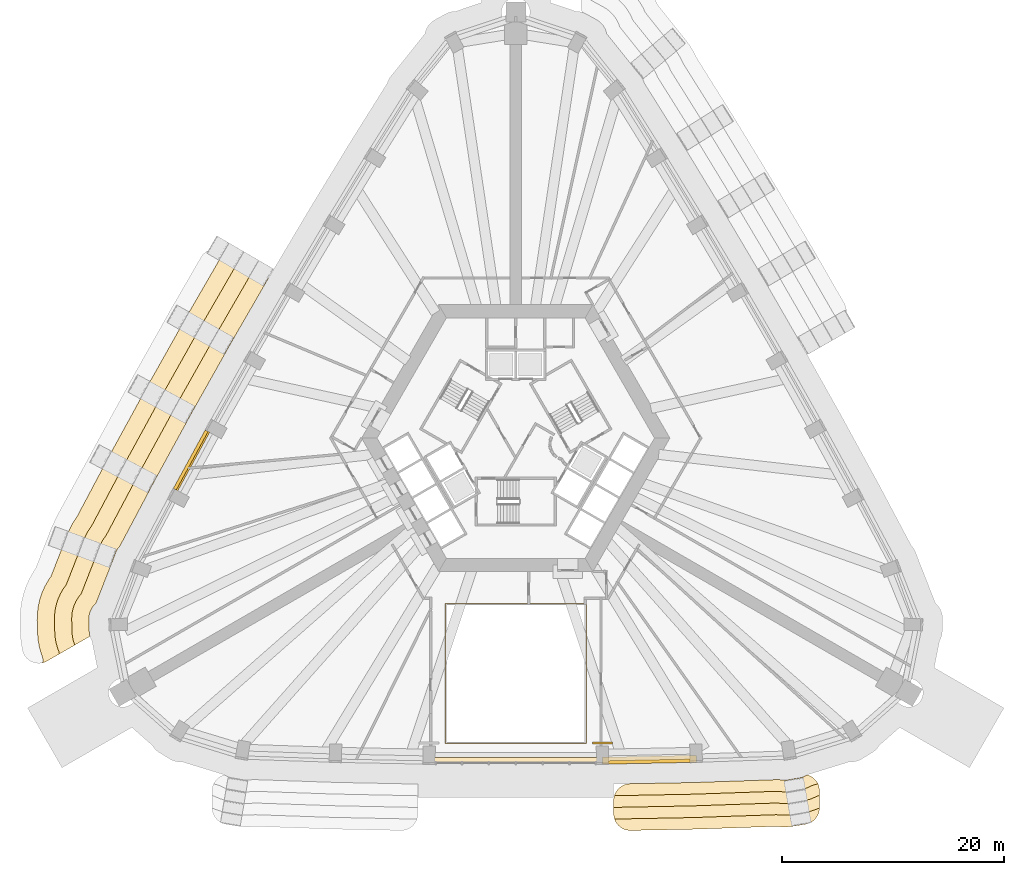
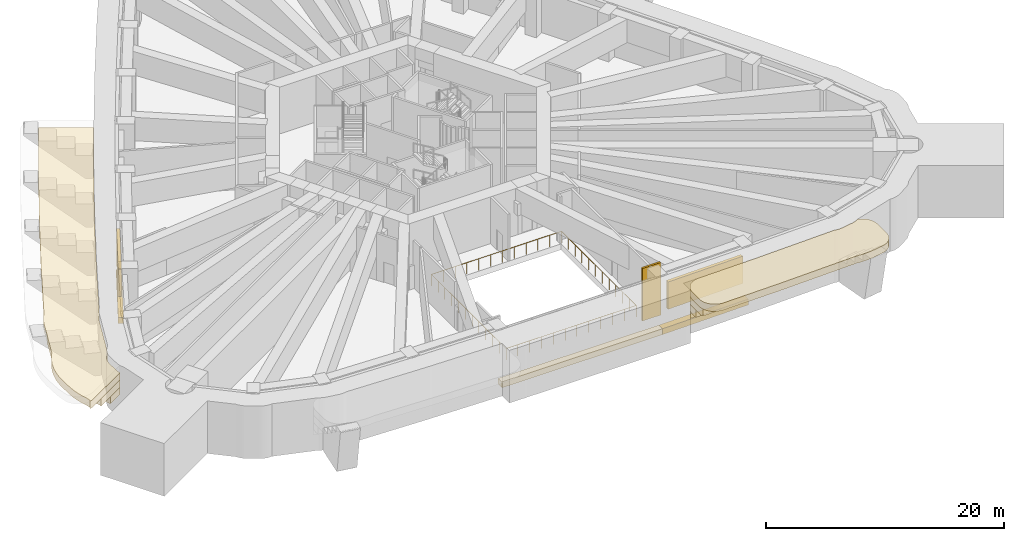
# One storey, part 14 of 20: 11 coverings, 2 shading devices, 1 railing.
"""IFC4 building model written with IfcOpenShell, lengths in metres."""

from ifc_helpers import new_model, si_unit, direction, frame, origin, origin_2d, place, context, subcontext, project, spatial, polyline, rectangle, circle, outline, extrude, material, layer, layer_set, type_object, element, save


model = new_model("IFC4")

# Units and contexts
model_context = context("Model", 3, precision=1e-05, world=origin(), true_north=direction((0.0, 1.0)))
body_context = subcontext(model_context, "Body", "Model", "MODEL_VIEW")
ifc_project = project(units=[si_unit("LENGTHUNIT", "METRE"), si_unit("AREAUNIT", "SQUARE_METRE"), si_unit("VOLUMEUNIT", "CUBIC_METRE"), si_unit("PLANEANGLEUNIT", "RADIAN"), si_unit("MASSUNIT", "GRAM", prefix="KILO")], contexts=[model_context])

# Site, building, storey
site_placement = place(None, origin())
site = spatial("IfcSite", under=ifc_project, at=site_placement, CompositionType="ELEMENT")
building_placement = place(site_placement, origin())
building = spatial("IfcBuilding", under=site, at=building_placement, Name="Entoto Arch Interchange Tower", CompositionType="ELEMENT")
storey_placement = place(building_placement, frame((0.0, 0.0, 184.39990234375)))
storey = spatial("IfcBuildingStorey", under=building, at=storey_placement, Name="L41", CompositionType="ELEMENT", Elevation=184.39990234375)

# Railing
ifc_material_1 = material(Name="Stainless steel 1.4301", Category="steel")
railing_type = type_object("IfcRailingType", Name="ATRIUM GUARD 1200 STEEL AND GLASS", PredefinedType="GUARDRAIL", material=ifc_material_1)
railing_placement = place(storey_placement, frame((6.320068359375, -24.93701171875, 0.0)))
element("IfcRailing", 1, at=railing_placement, inside=storey, type_object=railing_type, Name="Atrium guard L41", PredefinedType="GUARDRAIL", context=body_context, shape_type="SweptSolid", body=[
    extrude(circle(Radius=0.02392578125, at=origin_2d()), frame((0.0, 0.0, 1.17578125), z_axis=(-1.0, 0.0, 0.0), x_axis=(0.0, -1.0, 0.0)), (0.0, 0.0, 1.0), 12.64013671875),
    extrude(circle(Radius=0.02392578125, at=origin_2d()), frame((-12.64013671875, 0.0, 1.17578125), z_axis=(0.0, 1.0, 0.0), x_axis=(-1.0, 0.0, 0.0)), (0.0, 0.0, 1.0), 12.55712890625),
    extrude(circle(Radius=0.02392578125, at=origin_2d()), frame((-12.64013671875, 12.55712890625, 1.17578125), z_axis=(1.0, 0.0, 0.0), x_axis=(0.0, 1.0, 0.0)), (0.0, 0.0, 1.0), 12.64013671875),
    extrude(circle(Radius=0.02392578125, at=origin_2d()), frame((0.0, 12.55712890625, 1.17578125), z_axis=(0.0, -1.0, 0.0), x_axis=(1.0, 0.0, 0.0)), (0.0, 0.0, 1.0), 12.55712890625),
    extrude(circle(Radius=0.02099609375, at=origin_2d()), origin(), (0.0, 0.0, 1.0), 1.15185546875),
    extrude(circle(Radius=0.02099609375, at=origin_2d()), frame((-1.149169921875, 0.0, 0.0)), (0.0, 0.0, 1.0), 1.15185546875),
    extrude(circle(Radius=0.02099609375, at=origin_2d()), frame((-2.298095703125, 0.0, 0.0)), (0.0, 0.0, 1.0), 1.15185546875),
    extrude(circle(Radius=0.02099609375, at=origin_2d()), frame((-3.447265625, 0.0, 0.0)), (0.0, 0.0, 1.0), 1.15185546875),
    extrude(circle(Radius=0.02099609375, at=origin_2d()), frame((-4.596435546875, 0.0, 0.0)), (0.0, 0.0, 1.0), 1.15185546875),
    extrude(circle(Radius=0.02099609375, at=origin_2d()), frame((-5.74560546875, 0.0, 0.0)), (0.0, 0.0, 1.0), 1.15185546875),
    extrude(circle(Radius=0.02099609375, at=origin_2d()), frame((-6.89453125, 0.0, 0.0)), (0.0, 0.0, 1.0), 1.15185546875),
    extrude(circle(Radius=0.02099609375, at=origin_2d()), frame((-8.043701171875, 0.0, 0.0)), (0.0, 0.0, 1.0), 1.15185546875),
    extrude(circle(Radius=0.02099609375, at=origin_2d()), frame((-9.19287109375, 0.0, 0.0)), (0.0, 0.0, 1.0), 1.15185546875),
    extrude(circle(Radius=0.02099609375, at=origin_2d()), frame((-10.342041015625, 0.0, 0.0)), (0.0, 0.0, 1.0), 1.15185546875),
    extrude(circle(Radius=0.02099609375, at=origin_2d()), frame((-11.490966796875, 0.0, 0.0)), (0.0, 0.0, 1.0), 1.15185546875),
    extrude(circle(Radius=0.02099609375, at=origin_2d()), frame((-12.64013671875, 0.0, 0.0)), (0.0, 0.0, 1.0), 1.15185546875),
    extrude(circle(Radius=0.02099609375, at=origin_2d()), frame((-12.64013671875, 1.1416015625, 0.0)), (0.0, 0.0, 1.0), 1.15185546875),
    extrude(circle(Radius=0.02099609375, at=origin_2d()), frame((-12.64013671875, 2.283203125, 0.0)), (0.0, 0.0, 1.0), 1.15185546875),
    extrude(circle(Radius=0.02099609375, at=origin_2d()), frame((-12.64013671875, 3.424560546875, 0.0)), (0.0, 0.0, 1.0), 1.15185546875),
    extrude(circle(Radius=0.02099609375, at=origin_2d()), frame((-12.64013671875, 4.566162109375, 0.0)), (0.0, 0.0, 1.0), 1.15185546875),
    extrude(circle(Radius=0.02099609375, at=origin_2d()), frame((-12.64013671875, 5.707763671875, 0.0)), (0.0, 0.0, 1.0), 1.15185546875),
    extrude(circle(Radius=0.02099609375, at=origin_2d()), frame((-12.64013671875, 6.849365234375, 0.0)), (0.0, 0.0, 1.0), 1.15185546875),
    extrude(circle(Radius=0.02099609375, at=origin_2d()), frame((-12.64013671875, 7.990966796875, 0.0)), (0.0, 0.0, 1.0), 1.15185546875),
    extrude(circle(Radius=0.02099609375, at=origin_2d()), frame((-12.64013671875, 9.132568359375, 0.0)), (0.0, 0.0, 1.0), 1.15185546875),
    extrude(circle(Radius=0.02099609375, at=origin_2d()), frame((-12.64013671875, 10.27392578125, 0.0)), (0.0, 0.0, 1.0), 1.15185546875),
    extrude(circle(Radius=0.02099609375, at=origin_2d()), frame((-12.64013671875, 11.41552734375, 0.0)), (0.0, 0.0, 1.0), 1.15185546875),
    extrude(circle(Radius=0.02099609375, at=origin_2d()), frame((-12.64013671875, 12.55712890625, 0.0)), (0.0, 0.0, 1.0), 1.15185546875),
    extrude(circle(Radius=0.02099609375, at=origin_2d()), frame((-11.490966796875, 12.55712890625, 0.0)), (0.0, 0.0, 1.0), 1.15185546875),
    extrude(circle(Radius=0.02099609375, at=origin_2d()), frame((-10.342041015625, 12.55712890625, 0.0)), (0.0, 0.0, 1.0), 1.15185546875),
    extrude(circle(Radius=0.02099609375, at=origin_2d()), frame((-9.19287109375, 12.55712890625, 0.0)), (0.0, 0.0, 1.0), 1.15185546875),
    extrude(circle(Radius=0.02099609375, at=origin_2d()), frame((-8.043701171875, 12.55712890625, 0.0)), (0.0, 0.0, 1.0), 1.15185546875),
    extrude(circle(Radius=0.02099609375, at=origin_2d()), frame((-6.89453125, 12.55712890625, 0.0)), (0.0, 0.0, 1.0), 1.15185546875),
    extrude(circle(Radius=0.02099609375, at=origin_2d()), frame((-5.74560546875, 12.55712890625, 0.0)), (0.0, 0.0, 1.0), 1.15185546875),
    extrude(circle(Radius=0.02099609375, at=origin_2d()), frame((-4.596435546875, 12.55712890625, 0.0)), (0.0, 0.0, 1.0), 1.15185546875),
    extrude(circle(Radius=0.02099609375, at=origin_2d()), frame((-3.447265625, 12.55712890625, 0.0)), (0.0, 0.0, 1.0), 1.15185546875),
    extrude(circle(Radius=0.02099609375, at=origin_2d()), frame((-2.298095703125, 12.55712890625, 0.0)), (0.0, 0.0, 1.0), 1.15185546875),
    extrude(circle(Radius=0.02099609375, at=origin_2d()), frame((-1.149169921875, 12.55712890625, 0.0)), (0.0, 0.0, 1.0), 1.15185546875),
    extrude(circle(Radius=0.02099609375, at=origin_2d()), frame((0.0, 12.55712890625, 0.0)), (0.0, 0.0, 1.0), 1.15185546875),
    extrude(circle(Radius=0.02099609375, at=origin_2d()), frame((0.0, 11.41552734375, 0.0)), (0.0, 0.0, 1.0), 1.15185546875),
    extrude(circle(Radius=0.02099609375, at=origin_2d()), frame((0.0, 10.27392578125, 0.0)), (0.0, 0.0, 1.0), 1.15185546875),
    extrude(circle(Radius=0.02099609375, at=origin_2d()), frame((0.0, 9.132568359375, 0.0)), (0.0, 0.0, 1.0), 1.15185546875),
    extrude(circle(Radius=0.02099609375, at=origin_2d()), frame((0.0, 7.990966796875, 0.0)), (0.0, 0.0, 1.0), 1.15185546875),
    extrude(circle(Radius=0.02099609375, at=origin_2d()), frame((0.0, 6.849365234375, 0.0)), (0.0, 0.0, 1.0), 1.15185546875),
    extrude(circle(Radius=0.02099609375, at=origin_2d()), frame((0.0, 5.707763671875, 0.0)), (0.0, 0.0, 1.0), 1.15185546875),
    extrude(circle(Radius=0.02099609375, at=origin_2d()), frame((0.0, 4.566162109375, 0.0)), (0.0, 0.0, 1.0), 1.15185546875),
    extrude(circle(Radius=0.02099609375, at=origin_2d()), frame((0.0, 3.424560546875, 0.0)), (0.0, 0.0, 1.0), 1.15185546875),
    extrude(circle(Radius=0.02099609375, at=origin_2d()), frame((0.0, 2.283203125, 0.0)), (0.0, 0.0, 1.0), 1.15185546875),
    extrude(circle(Radius=0.02099609375, at=origin_2d()), frame((0.0, 1.1416015625, 0.0)), (0.0, 0.0, 1.0), 1.15185546875),
])

# Shading devices
ifc_material_2 = material(Name="Aluminium, anodised", Category="aluminium")
ifc_layer = layer(ifc_material_2, 0.300048828125)
ifc_layer_set = layer_set([ifc_layer], Name="Aluminium, anodised")
shading_device_type = type_object("IfcShadingDeviceType", Name="PLANT LOUVRE ALUMINIUM", PredefinedType="JALOUSIE", material=ifc_layer_set)
shading_device_1_placement = place(storey_placement, frame((12.013916015625, -26.58203125, 1.2001953125), z_axis=(0.0, 0.0, 1.0), x_axis=(0.999796471292, 0.020174637336, 0.0)))
element("IfcShadingDevice", 2, at=shading_device_1_placement, inside=storey, type_object=shading_device_type, Name="Plant louvre S-04 L41", PredefinedType="JALOUSIE", context=body_context, shape_type="SweptSolid", body=[
    extrude(rectangle(XDim=7.333984375, YDim=0.300048828125, at=origin_2d()), origin(), (0.0, 0.0, 1.0), 2.800048828125),
])
shading_device_2_placement = place(storey_placement, frame((-29.218017578125, 0.534912109375, 1.2001953125), z_axis=(0.0, 0.0, 1.0), x_axis=(-0.479182141455, -0.877715486539, 0.0)))
element("IfcShadingDevice", 3, at=shading_device_2_placement, inside=storey, type_object=shading_device_type, Name="Plant louvre NW-06 L41", PredefinedType="JALOUSIE", context=body_context, shape_type="SweptSolid", body=[
    extrude(rectangle(XDim=5.97705078125, YDim=0.300048828125, at=origin_2d()), origin(), (0.0, 0.0, 1.0), 2.800048828125),
])

# Coverings
ifc_material_3 = material(Name="Board-marked precast concrete C50/60", Category="concrete")
covering_type_1 = type_object("IfcCoveringType", Name="PRECAST FRAME COURSE", PredefinedType="CLADDING", material=ifc_material_3)
covering_1_placement = place(storey_placement, frame((0.0, 0.0, 4.050048828125)))
element("IfcCovering", 4, at=covering_1_placement, inside=storey, type_object=covering_type_1, Name="Cantilever cornice L41 1", PredefinedType="CLADDING", context=body_context, shape_type="SweptSolid", body=[
    extrude(outline(polyline([(26.429931640625, -27.85595703125), (26.556884765625, -27.922119140625), (26.676025390625, -27.9990234375), (26.7880859375, -28.0869140625), (26.89111328125, -28.18603515625), (26.98388671875, -28.2939453125), (27.06591796875, -28.409912109375), (27.136962890625, -28.532958984375), (27.196044921875, -28.6630859375), (27.241943359375, -28.797119140625), (27.27587890625, -28.93603515625), (27.2958984375, -29.076904296875), (27.302978515625, -29.218994140625), (27.302978515625, -30.72900390625), (27.294921875, -30.87890625), (27.27294921875, -31.027099609375), (27.236083984375, -31.172119140625), (27.18408203125, -31.31298828125), (27.118896484375, -31.448974609375), (27.0400390625, -31.575927734375), (26.948974609375, -31.696044921875), (26.846923828125, -31.805908203125), (26.73388671875, -31.905029296875), (26.612060546875, -31.991943359375), (26.48095703125, -32.06591796875), (26.343994140625, -32.126953125), (26.201904296875, -32.175048828125), (26.054931640625, -32.20703125), (25.172119140625, -32.35791015625), (25.09912109375, -32.367919921875), (24.791015625, -32.406005859375), (24.625, -32.426025390625), (24.47802734375, -32.43603515625), (24.035888671875, -32.446044921875), (23.888916015625, -32.44189453125), (23.44189453125, -32.406982421875), (23.39990234375, -32.404052734375), (23.35888671875, -32.406005859375), (17.02197265625, -32.623046875), (17.0048828125, -32.6240234375), (16.987060546875, -32.625), (16.98193359375, -32.6259765625), (16.943115234375, -32.6279296875), (16.424072265625, -32.64404296875), (15.87890625, -32.660888671875), (15.8701171875, -32.662109375), (15.804931640625, -32.6630859375), (15.794921875, -32.6630859375), (10.3291015625, -32.76904296875), (10.179931640625, -32.763916015625), (10.031982421875, -32.7451171875), (9.886962890625, -32.7109375), (9.74609375, -32.6630859375), (9.611083984375, -32.60107421875), (9.48193359375, -32.52587890625), (9.361083984375, -32.43896484375), (9.25, -32.340087890625), (9.14892578125, -32.22998046875), (9.05908203125, -32.111083984375), (8.98095703125, -31.98388671875), (8.9169921875, -31.85009765625), (8.865966796875, -31.7099609375), (8.830078125, -31.56494140625), (8.806884765625, -31.41796875), (8.800048828125, -31.26904296875), (8.800048828125, -30.069091796875), (8.806884765625, -29.924072265625), (8.827880859375, -29.780029296875), (8.863037109375, -29.638916015625), (8.910888671875, -29.501953125), (8.972900390625, -29.3701171875), (9.047119140625, -29.2451171875), (9.132080078125, -29.126953125), (9.22900390625, -29.01904296875), (9.3359375, -28.919921875), (9.451904296875, -28.83203125), (9.574951171875, -28.756103515625), (9.7060546875, -28.69189453125), (9.842041015625, -28.64111328125), (9.98291015625, -28.60302734375), (10.1259765625, -28.5791015625), (10.27099609375, -28.569091796875), (15.718994140625, -28.464111328125), (15.740966796875, -28.464111328125), (16.291015625, -28.446044921875), (16.841064453125, -28.428955078125), (16.8720703125, -28.426025390625), (23.681884765625, -28.19189453125), (23.72802734375, -28.205078125), (23.90087890625, -28.235107421875), (24.077880859375, -28.2490234375), (24.25390625, -28.2451171875), (24.429931640625, -28.22412109375), (25.513916015625, -28.0390625), (25.68603515625, -28.0009765625), (25.85400390625, -27.946044921875), (26.01611328125, -27.875), (26.169921875, -27.7880859375), (26.193115234375, -27.77197265625), (26.22802734375, -27.760986328125), (26.197998046875, -27.77197265625), (26.221923828125, -27.780029296875), (26.298095703125, -27.802978515625), (26.429931640625, -27.85595703125)])), origin(), (0.0, 0.0, 1.0), 0.75),
])
covering_2_placement = place(storey_placement, frame((0.0, 0.0, 3.300048828125)))
element("IfcCovering", 5, at=covering_2_placement, inside=storey, type_object=covering_type_1, Name="Cantilever cornice L41 2", PredefinedType="CLADDING", context=body_context, shape_type="SweptSolid", body=[
    extrude(outline(polyline([(26.429931640625, -27.85595703125), (26.556884765625, -27.922119140625), (26.676025390625, -27.9990234375), (26.7880859375, -28.0869140625), (26.89111328125, -28.18603515625), (26.98388671875, -28.2939453125), (27.06591796875, -28.409912109375), (27.136962890625, -28.532958984375), (27.196044921875, -28.6630859375), (27.241943359375, -28.797119140625), (27.27587890625, -28.93603515625), (27.2958984375, -29.076904296875), (27.302978515625, -29.218994140625), (27.302978515625, -30.72900390625), (27.302001953125, -30.74609375), (26.97998046875, -30.887939453125), (26.51806640625, -31.0390625), (26.0439453125, -31.14404296875), (24.958984375, -31.3291015625), (24.47705078125, -31.386962890625), (23.990966796875, -31.39794921875), (23.507080078125, -31.361083984375), (23.4560546875, -31.35205078125), (16.970947265625, -31.574951171875), (16.94091796875, -31.576904296875), (16.39111328125, -31.594970703125), (15.841064453125, -31.612060546875), (15.780029296875, -31.614013671875), (8.8798828125, -31.7470703125), (8.865966796875, -31.7099609375), (8.830078125, -31.56494140625), (8.806884765625, -31.41796875), (8.800048828125, -31.26904296875), (8.800048828125, -30.069091796875), (8.806884765625, -29.924072265625), (8.827880859375, -29.780029296875), (8.863037109375, -29.638916015625), (8.910888671875, -29.501953125), (8.972900390625, -29.3701171875), (9.047119140625, -29.2451171875), (9.132080078125, -29.126953125), (9.22900390625, -29.01904296875), (9.3359375, -28.919921875), (9.451904296875, -28.83203125), (9.574951171875, -28.756103515625), (9.7060546875, -28.69189453125), (9.842041015625, -28.64111328125), (9.98291015625, -28.60302734375), (10.1259765625, -28.5791015625), (10.27099609375, -28.569091796875), (15.718994140625, -28.464111328125), (15.740966796875, -28.464111328125), (16.291015625, -28.446044921875), (16.841064453125, -28.428955078125), (16.8720703125, -28.426025390625), (23.681884765625, -28.19189453125), (23.72802734375, -28.205078125), (23.90087890625, -28.235107421875), (24.077880859375, -28.2490234375), (24.25390625, -28.2451171875), (24.429931640625, -28.22412109375), (25.513916015625, -28.0390625), (25.68603515625, -28.0009765625), (25.85400390625, -27.946044921875), (26.01611328125, -27.875), (26.169921875, -27.7880859375), (26.193115234375, -27.77197265625), (26.22802734375, -27.760986328125), (26.197998046875, -27.77197265625), (26.221923828125, -27.780029296875), (26.298095703125, -27.802978515625), (26.429931640625, -27.85595703125)])), origin(), (0.0, 0.0, 1.0), 0.75),
])
covering_3_placement = place(storey_placement, frame((0.0, 0.0, 2.550048828125)))
element("IfcCovering", 6, at=covering_3_placement, inside=storey, type_object=covering_type_1, Name="Cantilever cornice L41 3", PredefinedType="CLADDING", context=body_context, shape_type="SweptSolid", body=[
    extrude(outline(polyline([(26.429931640625, -27.85595703125), (26.556884765625, -27.922119140625), (26.676025390625, -27.9990234375), (26.7880859375, -28.0869140625), (26.89111328125, -28.18603515625), (26.98388671875, -28.2939453125), (27.06591796875, -28.409912109375), (27.136962890625, -28.532958984375), (27.196044921875, -28.6630859375), (27.241943359375, -28.797119140625), (27.27587890625, -28.93603515625), (27.2958984375, -29.076904296875), (27.302978515625, -29.218994140625), (27.302978515625, -29.6279296875), (27.027099609375, -29.7119140625), (26.955078125, -29.7529296875), (26.60498046875, -29.906982421875), (26.240966796875, -30.02587890625), (25.866943359375, -30.10888671875), (24.782958984375, -30.2939453125), (24.403076171875, -30.340087890625), (24.02001953125, -30.347900390625), (23.638916015625, -30.319091796875), (23.52392578125, -30.299072265625), (16.93798828125, -30.52490234375), (16.907958984375, -30.528076171875), (16.35791015625, -30.544921875), (15.80810546875, -30.56201171875), (15.759033203125, -30.56396484375), (8.800048828125, -30.697998046875), (8.800048828125, -30.069091796875), (8.806884765625, -29.924072265625), (8.827880859375, -29.780029296875), (8.863037109375, -29.638916015625), (8.910888671875, -29.501953125), (8.972900390625, -29.3701171875), (9.047119140625, -29.2451171875), (9.132080078125, -29.126953125), (9.22900390625, -29.01904296875), (9.3359375, -28.919921875), (9.451904296875, -28.83203125), (9.574951171875, -28.756103515625), (9.7060546875, -28.69189453125), (9.842041015625, -28.64111328125), (9.98291015625, -28.60302734375), (10.1259765625, -28.5791015625), (10.27099609375, -28.569091796875), (15.718994140625, -28.464111328125), (15.740966796875, -28.464111328125), (16.291015625, -28.446044921875), (16.841064453125, -28.428955078125), (16.8720703125, -28.426025390625), (23.681884765625, -28.19189453125), (23.72802734375, -28.205078125), (23.90087890625, -28.235107421875), (24.077880859375, -28.2490234375), (24.25390625, -28.2451171875), (24.429931640625, -28.22412109375), (25.513916015625, -28.0390625), (25.68603515625, -28.0009765625), (25.85400390625, -27.946044921875), (26.01611328125, -27.875), (26.169921875, -27.7880859375), (26.193115234375, -27.77197265625), (26.22802734375, -27.760986328125), (26.197998046875, -27.77197265625), (26.221923828125, -27.780029296875), (26.298095703125, -27.802978515625), (26.429931640625, -27.85595703125)])), origin(), (0.0, 0.0, 1.0), 0.75),
])
covering_4_placement = place(storey_placement, frame((0.0, 0.0, 1.800048828125)))
element("IfcCovering", 7, at=covering_4_placement, inside=storey, type_object=covering_type_1, Name="Cantilever cornice L41 4", PredefinedType="CLADDING", context=body_context, shape_type="SweptSolid", body=[
    extrude(outline(polyline([(26.429931640625, -27.85595703125), (26.556884765625, -27.922119140625), (26.676025390625, -27.9990234375), (26.7880859375, -28.0869140625), (26.89111328125, -28.18603515625), (26.98388671875, -28.2939453125), (27.06591796875, -28.409912109375), (27.136962890625, -28.532958984375), (27.156005859375, -28.573974609375), (26.615966796875, -28.739990234375), (26.485107421875, -28.81396484375), (26.22900390625, -28.926025390625), (25.964111328125, -29.012939453125), (25.69091796875, -29.073974609375), (24.60595703125, -29.259033203125), (24.327880859375, -29.2919921875), (24.049072265625, -29.298095703125), (23.77001953125, -29.277099609375), (23.592041015625, -29.24609375), (16.905029296875, -29.47607421875), (16.8740234375, -29.47802734375), (16.323974609375, -29.49609375), (15.77490234375, -29.512939453125), (15.739013671875, -29.513916015625), (8.861083984375, -29.64697265625), (8.863037109375, -29.638916015625), (8.910888671875, -29.501953125), (8.972900390625, -29.3701171875), (9.047119140625, -29.2451171875), (9.132080078125, -29.126953125), (9.22900390625, -29.01904296875), (9.3359375, -28.919921875), (9.451904296875, -28.83203125), (9.574951171875, -28.756103515625), (9.7060546875, -28.69189453125), (9.842041015625, -28.64111328125), (9.98291015625, -28.60302734375), (10.1259765625, -28.5791015625), (10.27099609375, -28.569091796875), (15.718994140625, -28.464111328125), (15.740966796875, -28.464111328125), (16.291015625, -28.446044921875), (16.841064453125, -28.428955078125), (16.8720703125, -28.426025390625), (23.681884765625, -28.19189453125), (23.72802734375, -28.205078125), (23.90087890625, -28.235107421875), (24.077880859375, -28.2490234375), (24.25390625, -28.2451171875), (24.429931640625, -28.22412109375), (25.513916015625, -28.0390625), (25.68603515625, -28.0009765625), (25.85400390625, -27.946044921875), (26.01611328125, -27.875), (26.169921875, -27.7880859375), (26.193115234375, -27.77197265625), (26.22802734375, -27.760986328125), (26.197998046875, -27.77197265625), (26.221923828125, -27.780029296875), (26.298095703125, -27.802978515625), (26.429931640625, -27.85595703125)])), origin(), (0.0, 0.0, 1.0), 0.75),
])
covering_5_placement = place(storey_placement, frame((0.0, 0.0, 3.300048828125)))
element("IfcCovering", 8, at=covering_5_placement, inside=storey, type_object=covering_type_1, Name="Cantilever cornice nw-L41 2", PredefinedType="CLADDING", context=body_context, shape_type="SweptSolid", body=[
    extrude(outline(polyline([(-42.262939453125, -17.610107421875), (-42.39697265625, -17.6640625), (-42.534912109375, -17.7041015625), (-42.553955078125, -17.7080078125), (-42.47998046875, -17.535888671875), (-42.56396484375, -17.117919921875), (-42.6689453125, -16.845947265625), (-42.837890625, -16.235107421875), (-42.946044921875, -15.612060546875), (-42.991943359375, -14.97998046875), (-43.01806640625, -13.881103515625), (-43.0029296875, -13.248046875), (-42.925048828125, -12.6201171875), (-42.785888671875, -12.001953125), (-42.5869140625, -11.40087890625), (-42.330078125, -10.822998046875), (-42.01806640625, -10.27197265625), (-41.7880859375, -9.945068359375), (-40.4990234375, -6.657958984375), (-40.3310546875, -6.201904296875), (-40.08203125, -5.618896484375), (-39.778076171875, -5.06396484375), (-39.468994140625, -4.612060546875), (-37.00390625, 0.032958984375), (-36.998046875, 0.0458984375), (-36.48095703125, 1.01708984375), (-36.445068359375, 1.083984375), (-33.5859375, 6.306884765625), (-33.570068359375, 6.339111328125), (-33.0400390625, 7.302978515625), (-33.010009765625, 7.35595703125), (-30.096923828125, 12.534912109375), (-30.070068359375, 12.589111328125), (-29.52587890625, 13.5458984375), (-29.501953125, 13.587890625), (-26.532958984375, 18.721923828125), (-26.493896484375, 18.798095703125), (-26.215087890625, 19.27197265625), (-25.406005859375, 18.798095703125), (-22.236083984375, 16.93798828125), (-22.205078125, 16.919921875), (-22.48291015625, 16.445068359375), (-22.52392578125, 16.367919921875), (-25.47705078125, 11.260009765625), (-25.48291015625, 11.248046875), (-26.027099609375, 10.2919921875), (-26.054931640625, 10.237060546875), (-28.9580078125, 5.075927734375), (-28.966064453125, 5.06103515625), (-29.49609375, 4.097900390625), (-29.511962890625, 4.06591796875), (-32.365966796875, -1.14892578125), (-32.376953125, -1.16796875), (-32.89306640625, -2.138916015625), (-32.89892578125, -2.152099609375), (-35.570068359375, -7.18310546875), (-35.60205078125, -7.215087890625), (-35.715087890625, -7.35009765625), (-35.81494140625, -7.49609375), (-35.89990234375, -7.65087890625), (-35.968994140625, -7.81298828125), (-36.153076171875, -8.31298828125), (-37.738037109375, -12.35595703125), (-37.7451171875, -12.362060546875), (-37.873046875, -12.48291015625), (-37.989013671875, -12.616943359375), (-38.091064453125, -12.761962890625), (-38.177978515625, -12.9150390625), (-38.2490234375, -13.076904296875), (-38.304931640625, -13.243896484375), (-38.343994140625, -13.4169921875), (-38.364990234375, -13.592041015625), (-38.3701171875, -13.76904296875), (-38.343017578125, -14.867919921875), (-38.330078125, -15.0439453125), (-38.300048828125, -15.218017578125), (-38.27294921875, -15.31494140625), (-38.304931640625, -15.3330078125), (-42.135009765625, -17.5439453125), (-42.262939453125, -17.610107421875)])), origin(), (0.0, 0.0, 1.0), 0.75),
])
covering_6_placement = place(storey_placement, frame((0.0, 0.0, 2.550048828125)))
element("IfcCovering", 9, at=covering_6_placement, inside=storey, type_object=covering_type_1, Name="Cantilever cornice nw-L41 3", PredefinedType="CLADDING", context=body_context, shape_type="SweptSolid", body=[
    extrude(outline(polyline([(-22.236083984375, 16.93798828125), (-22.205078125, 16.919921875), (-22.48291015625, 16.445068359375), (-22.52392578125, 16.367919921875), (-25.47705078125, 11.260009765625), (-25.48291015625, 11.248046875), (-26.027099609375, 10.2919921875), (-26.054931640625, 10.237060546875), (-28.9580078125, 5.075927734375), (-28.966064453125, 5.06103515625), (-29.49609375, 4.097900390625), (-29.511962890625, 4.06591796875), (-32.365966796875, -1.14892578125), (-32.376953125, -1.16796875), (-32.89306640625, -2.138916015625), (-32.89892578125, -2.152099609375), (-35.570068359375, -7.18310546875), (-35.60205078125, -7.215087890625), (-35.715087890625, -7.35009765625), (-35.81494140625, -7.49609375), (-35.89990234375, -7.65087890625), (-35.968994140625, -7.81298828125), (-36.153076171875, -8.31298828125), (-37.738037109375, -12.35595703125), (-37.7451171875, -12.362060546875), (-37.873046875, -12.48291015625), (-37.989013671875, -12.616943359375), (-38.091064453125, -12.761962890625), (-38.177978515625, -12.9150390625), (-38.2490234375, -13.076904296875), (-38.304931640625, -13.243896484375), (-38.343994140625, -13.4169921875), (-38.364990234375, -13.592041015625), (-38.3701171875, -13.76904296875), (-38.343017578125, -14.867919921875), (-38.330078125, -15.0439453125), (-38.300048828125, -15.218017578125), (-38.27294921875, -15.31494140625), (-38.304931640625, -15.3330078125), (-41.02587890625, -16.904052734375), (-41.068115234375, -16.694091796875), (-41.197021484375, -16.360107421875), (-41.324951171875, -15.89599609375), (-41.406982421875, -15.423095703125), (-41.44189453125, -14.943115234375), (-41.468994140625, -13.843017578125), (-41.45703125, -13.363037109375), (-41.39794921875, -12.885009765625), (-41.2919921875, -12.416015625), (-41.14111328125, -11.9599609375), (-40.946044921875, -11.52001953125), (-40.708984375, -11.10205078125), (-40.431884765625, -10.708984375), (-40.4140625, -10.68798828125), (-39.051025390625, -7.2099609375), (-38.876953125, -6.739013671875), (-38.68798828125, -6.2958984375), (-38.45703125, -5.875), (-38.18603515625, -5.47802734375), (-38.154052734375, -5.43896484375), (-35.635986328125, -0.695068359375), (-35.6298828125, -0.681884765625), (-35.113037109375, 0.2890625), (-35.0859375, 0.339111328125), (-32.22802734375, 5.56005859375), (-32.2119140625, 5.592041015625), (-31.681884765625, 6.555908203125), (-31.658935546875, 6.595947265625), (-28.75, 11.76904296875), (-28.721923828125, 11.823974609375), (-28.178955078125, 12.780029296875), (-28.159912109375, 12.81201171875), (-25.197021484375, 17.93701171875), (-25.156982421875, 18.013916015625), (-24.87890625, 18.488037109375), (-22.236083984375, 16.93798828125)])), origin(), (0.0, 0.0, 1.0), 0.75),
])
covering_7_placement = place(storey_placement, frame((0.0, 0.0, 1.800048828125)))
element("IfcCovering", 10, at=covering_7_placement, inside=storey, type_object=covering_type_1, Name="Cantilever cornice nw-L41 4", PredefinedType="CLADDING", context=body_context, shape_type="SweptSolid", body=[
    extrude(outline(polyline([(-22.236083984375, 16.93798828125), (-22.205078125, 16.919921875), (-22.48291015625, 16.445068359375), (-22.52392578125, 16.367919921875), (-25.47705078125, 11.260009765625), (-25.48291015625, 11.248046875), (-26.027099609375, 10.2919921875), (-26.054931640625, 10.237060546875), (-28.9580078125, 5.075927734375), (-28.966064453125, 5.06103515625), (-29.49609375, 4.097900390625), (-29.511962890625, 4.06591796875), (-32.365966796875, -1.14892578125), (-32.376953125, -1.16796875), (-32.89306640625, -2.138916015625), (-32.89892578125, -2.152099609375), (-35.570068359375, -7.18310546875), (-35.60205078125, -7.215087890625), (-35.715087890625, -7.35009765625), (-35.81494140625, -7.49609375), (-35.89990234375, -7.65087890625), (-35.968994140625, -7.81298828125), (-36.153076171875, -8.31298828125), (-37.738037109375, -12.35595703125), (-37.7451171875, -12.362060546875), (-37.873046875, -12.48291015625), (-37.989013671875, -12.616943359375), (-38.091064453125, -12.761962890625), (-38.177978515625, -12.9150390625), (-38.2490234375, -13.076904296875), (-38.304931640625, -13.243896484375), (-38.343994140625, -13.4169921875), (-38.364990234375, -13.592041015625), (-38.3701171875, -13.76904296875), (-38.343017578125, -14.867919921875), (-38.330078125, -15.0439453125), (-38.300048828125, -15.218017578125), (-38.27294921875, -15.31494140625), (-38.304931640625, -15.3330078125), (-39.636962890625, -16.10205078125), (-39.72509765625, -15.8740234375), (-39.81298828125, -15.556884765625), (-39.868896484375, -15.23388671875), (-39.89306640625, -14.906005859375), (-39.9189453125, -13.805908203125), (-39.910888671875, -13.47705078125), (-39.87109375, -13.15087890625), (-39.799072265625, -12.830078125), (-39.695068359375, -12.51806640625), (-39.56201171875, -12.218017578125), (-39.39990234375, -11.931884765625), (-39.2099609375, -11.6630859375), (-39.06591796875, -11.4951171875), (-37.60205078125, -7.760986328125), (-37.423095703125, -7.27587890625), (-37.2939453125, -6.97412109375), (-37.135986328125, -6.68505859375), (-36.949951171875, -6.4140625), (-36.85693359375, -6.302001953125), (-34.26806640625, -1.423095703125), (-34.261962890625, -1.409912109375), (-33.7451171875, -0.43896484375), (-33.72607421875, -0.405029296875), (-30.8701171875, 4.81298828125), (-30.85400390625, 4.844970703125), (-30.323974609375, 5.80908203125), (-30.30908203125, 5.8359375), (-27.402099609375, 11.0029296875), (-27.3740234375, 11.05810546875), (-26.8310546875, 12.013916015625), (-26.818115234375, 12.035888671875), (-23.860107421875, 17.152099609375), (-23.820068359375, 17.22998046875), (-23.5419921875, 17.7041015625), (-22.236083984375, 16.93798828125)])), origin(), (0.0, 0.0, 1.0), 0.75),
])
covering_8_placement = place(storey_placement, frame((0.0, 0.0, -0.599853515625)))
element("IfcCovering", 11, at=covering_8_placement, inside=storey, type_object=covering_type_1, Name="Gate pier L41", PredefinedType="CLADDING", context=body_context, shape_type="SweptSolid", body=[
    extrude(outline(polyline([(6.888916015625, -24.81689453125), (8.68896484375, -24.81689453125), (8.68896484375, -24.9990234375), (6.888916015625, -24.9990234375), (6.888916015625, -24.81689453125)])), origin(), (0.0, 0.0, 1.0), 5.39990234375),
])
covering_type_2 = type_object("IfcCoveringType", Name="PRECAST LEDGE COURSE", PredefinedType="CLADDING", material=ifc_material_3)
covering_9_placement = place(storey_placement, frame((0.0, 0.0, -1.199951171875)))
element("IfcCovering", 12, at=covering_9_placement, inside=storey, type_object=covering_type_2, Name="Precast course S-03 L41", PredefinedType="CLADDING", context=body_context, shape_type="SweptSolid", body=[
    extrude(outline(polyline([(7.800048828125, -26.18896484375), (7.800048828125, -26.81689453125), (-7.800048828125, -26.81689453125), (-7.800048828125, -26.18896484375), (7.800048828125, -26.18896484375)])), origin(), (0.0, 0.0, 1.0), 0.60009765625),
])
covering_10_placement = place(storey_placement, frame((0.0, 0.0, -1.199951171875)))
element("IfcCovering", 13, at=covering_10_placement, inside=storey, type_object=covering_type_2, Name="Precast course S-04 L41", PredefinedType="CLADDING", context=body_context, shape_type="SweptSolid", body=[
    extrude(outline(polyline([(16.23388671875, -26.012939453125), (16.23388671875, -26.64697265625), (7.800048828125, -26.81689453125), (7.800048828125, -26.18896484375), (16.23388671875, -26.012939453125)])), origin(), (0.0, 0.0, 1.0), 0.60009765625),
])
covering_11_placement = place(storey_placement, frame((0.0, 0.0, -1.199951171875)))
element("IfcCovering", 14, at=covering_11_placement, inside=storey, type_object=covering_type_2, Name="Precast course NW-06 L41", PredefinedType="CLADDING", context=body_context, shape_type="SweptSolid", body=[
    extrude(outline(polyline([(-30.64111328125, -2.715087890625), (-31.0458984375, -2.4990234375), (-27.654052734375, 3.7119140625), (-27.257080078125, 3.492919921875), (-30.64111328125, -2.715087890625)])), origin(), (0.0, 0.0, 1.0), 0.60009765625),
])

save(model, "model.ifc")
